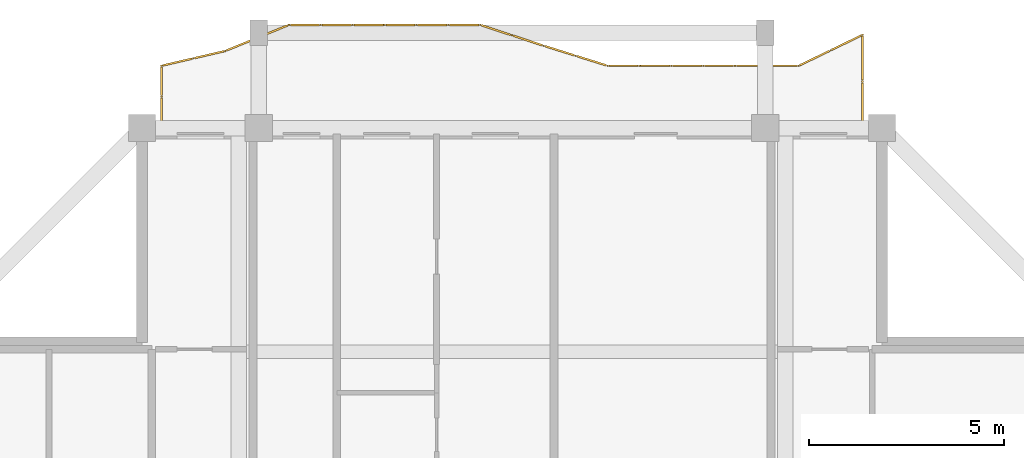
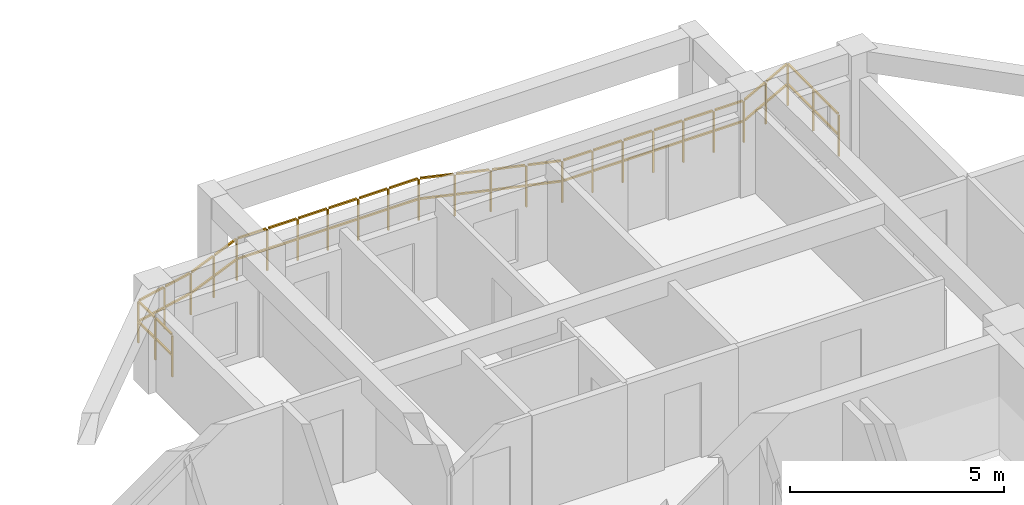
# One storey, part 12 of 12: 1 railing.
"""IFC4 building model written with IfcOpenShell, lengths in metres."""

from ifc_helpers import new_model, si_unit, direction, frame, origin, origin_2d, place, context, subcontext, project, spatial, rectangle, extrude, material, type_object, element, save


model = new_model("IFC4")

# Units and contexts
model_context = context("Model", 3, precision=1e-05, world=origin(), true_north=direction((0.0, 1.0)))
body_context = subcontext(model_context, "Body", "Model", "MODEL_VIEW")
ifc_project = project(units=[si_unit("LENGTHUNIT", "METRE"), si_unit("AREAUNIT", "SQUARE_METRE"), si_unit("VOLUMEUNIT", "CUBIC_METRE"), si_unit("PLANEANGLEUNIT", "RADIAN"), si_unit("MASSUNIT", "GRAM", prefix="KILO")], contexts=[model_context])

# Site, building, storey
site_placement = place(None, origin())
site = spatial("IfcSite", under=ifc_project, at=site_placement, CompositionType="ELEMENT")
building_placement = place(site_placement, origin())
building = spatial("IfcBuilding", under=site, at=building_placement, Name="Saelheon Loggia Tower", CompositionType="ELEMENT")
storey_placement = place(building_placement, frame((0.0, 0.0, 243.0)))
storey = spatial("IfcBuildingStorey", under=building, at=storey_placement, Name="L75", CompositionType="ELEMENT", Elevation=243.0)

# Railing
ifc_material = material(Name="Architectural Precast Concrete and Laminated Glass Guard", Category="concrete")
railing_type = type_object("IfcRailingType", Name="Guard_Loggia_RL_LOG", PredefinedType="BALUSTRADE", material=ifc_material)
railing_placement = place(storey_placement, frame((47.0, 48.0, 0.0)))
element("IfcRailing", 1, at=railing_placement, inside=storey, type_object=railing_type, Name="L75 North Loggia Balustrade", PredefinedType="BALUSTRADE", context=body_context, shape_type="SweptSolid", body=[
    extrude(rectangle(XDim=0.048095703125, YDim=0.048095703125, at=origin_2d()), frame((0.0, 0.033203125, 1.19580078125), z_axis=(0.0, 1.0, 0.0), x_axis=(-1.0, 0.0, 0.0)), (0.0, 0.0, 1.0), 1.130126953125),
    extrude(rectangle(XDim=0.048095703125, YDim=0.048095703125, at=origin_2d()), frame((0.0, 0.033203125, 0.60986328125), z_axis=(0.0, 1.0, 0.0), x_axis=(-1.0, 0.0, 0.0)), (0.0, 0.0, 1.0), 1.130126953125),
    extrude(rectangle(XDim=0.048095703125, YDim=0.048095703125, at=origin_2d()), frame((0.0, 1.22998046875, 1.19580078125), z_axis=(0.0, 1.0, 0.0), x_axis=(-1.0, 0.0, 0.0)), (0.0, 0.0, 1.0), 1.130126953125),
    extrude(rectangle(XDim=0.048095703125, YDim=0.048095703125, at=origin_2d()), frame((0.0, 1.22998046875, 0.60986328125), z_axis=(0.0, 1.0, 0.0), x_axis=(-1.0, 0.0, 0.0)), (0.0, 0.0, 1.0), 1.130126953125),
    extrude(rectangle(XDim=0.048095703125, YDim=0.048095703125, at=origin_2d()), frame((-0.02978515625, 2.37890625, 1.19580078125), z_axis=(-0.899863608431, -0.436171395464, 0.0), x_axis=(0.436171395464, -0.899863608431, 0.0)), (0.0, 0.0, 1.0), 0.8427734375),
    extrude(rectangle(XDim=0.048095703125, YDim=0.048095703125, at=origin_2d()), frame((-0.02978515625, 2.37890625, 0.60986328125), z_axis=(-0.899863608431, -0.436171395464, 0.0), x_axis=(0.436171395464, -0.899863608431, 0.0)), (0.0, 0.0, 1.0), 0.8427734375),
    extrude(rectangle(XDim=0.048095703125, YDim=0.048095703125, at=origin_2d()), frame((-0.84814453125, 1.982177734375, 1.19580078125), z_axis=(-0.899863608431, -0.436171395464, 0.0), x_axis=(0.436171395464, -0.899863608431, 0.0)), (0.0, 0.0, 1.0), 0.8427734375),
    extrude(rectangle(XDim=0.048095703125, YDim=0.048095703125, at=origin_2d()), frame((-0.84814453125, 1.982177734375, 0.60986328125), z_axis=(-0.899863608431, -0.436171395464, 0.0), x_axis=(0.436171395464, -0.899863608431, 0.0)), (0.0, 0.0, 1.0), 0.8427734375),
    extrude(rectangle(XDim=0.048095703125, YDim=0.048095703125, at=origin_2d()), frame((-1.669677734375, 1.60009765625, 1.19580078125), z_axis=(-1.0, 0.0, 0.0), x_axis=(0.0, -1.0, 0.0)), (0.0, 0.0, 1.0), 0.751708984375),
    extrude(rectangle(XDim=0.048095703125, YDim=0.048095703125, at=origin_2d()), frame((-1.669677734375, 1.60009765625, 0.60986328125), z_axis=(-1.0, 0.0, 0.0), x_axis=(0.0, -1.0, 0.0)), (0.0, 0.0, 1.0), 0.751708984375),
    extrude(rectangle(XDim=0.048095703125, YDim=0.048095703125, at=origin_2d()), frame((-2.48779296875, 1.60009765625, 1.19580078125), z_axis=(-1.0, 0.0, 0.0), x_axis=(0.0, -1.0, 0.0)), (0.0, 0.0, 1.0), 0.751708984375),
    extrude(rectangle(XDim=0.048095703125, YDim=0.048095703125, at=origin_2d()), frame((-2.48779296875, 1.60009765625, 0.60986328125), z_axis=(-1.0, 0.0, 0.0), x_axis=(0.0, -1.0, 0.0)), (0.0, 0.0, 1.0), 0.751708984375),
    extrude(rectangle(XDim=0.048095703125, YDim=0.048095703125, at=origin_2d()), frame((-3.305908203125, 1.60009765625, 1.19580078125), z_axis=(-1.0, 0.0, 0.0), x_axis=(0.0, -1.0, 0.0)), (0.0, 0.0, 1.0), 0.751708984375),
    extrude(rectangle(XDim=0.048095703125, YDim=0.048095703125, at=origin_2d()), frame((-3.305908203125, 1.60009765625, 0.60986328125), z_axis=(-1.0, 0.0, 0.0), x_axis=(0.0, -1.0, 0.0)), (0.0, 0.0, 1.0), 0.751708984375),
    extrude(rectangle(XDim=0.048095703125, YDim=0.048095703125, at=origin_2d()), frame((-4.124267578125, 1.60009765625, 1.19580078125), z_axis=(-1.0, 0.0, 0.0), x_axis=(0.0, -1.0, 0.0)), (0.0, 0.0, 1.0), 0.751708984375),
    extrude(rectangle(XDim=0.048095703125, YDim=0.048095703125, at=origin_2d()), frame((-4.124267578125, 1.60009765625, 0.60986328125), z_axis=(-1.0, 0.0, 0.0), x_axis=(0.0, -1.0, 0.0)), (0.0, 0.0, 1.0), 0.751708984375),
    extrude(rectangle(XDim=0.048095703125, YDim=0.048095703125, at=origin_2d()), frame((-4.9423828125, 1.60009765625, 1.19580078125), z_axis=(-1.0, 0.0, 0.0), x_axis=(0.0, -1.0, 0.0)), (0.0, 0.0, 1.0), 0.751708984375),
    extrude(rectangle(XDim=0.048095703125, YDim=0.048095703125, at=origin_2d()), frame((-4.9423828125, 1.60009765625, 0.60986328125), z_axis=(-1.0, 0.0, 0.0), x_axis=(0.0, -1.0, 0.0)), (0.0, 0.0, 1.0), 0.751708984375),
    extrude(rectangle(XDim=0.048095703125, YDim=0.048095703125, at=origin_2d()), frame((-5.760498046875, 1.60009765625, 1.19580078125), z_axis=(-1.0, 0.0, 0.0), x_axis=(0.0, -1.0, 0.0)), (0.0, 0.0, 1.0), 0.751708984375),
    extrude(rectangle(XDim=0.048095703125, YDim=0.048095703125, at=origin_2d()), frame((-5.760498046875, 1.60009765625, 0.60986328125), z_axis=(-1.0, 0.0, 0.0), x_axis=(0.0, -1.0, 0.0)), (0.0, 0.0, 1.0), 0.751708984375),
    extrude(rectangle(XDim=0.048095703125, YDim=0.048095703125, at=origin_2d()), frame((-6.5771484375, 1.610107421875, 1.19580078125), z_axis=(-0.954264410457, 0.298963935844, 0.0), x_axis=(-0.298963935844, -0.954264410457, 0.0)), (0.0, 0.0, 1.0), 0.791015625),
    extrude(rectangle(XDim=0.048095703125, YDim=0.048095703125, at=origin_2d()), frame((-6.5771484375, 1.610107421875, 0.60986328125), z_axis=(-0.954264410457, 0.298963935844, 0.0), x_axis=(-0.298963935844, -0.954264410457, 0.0)), (0.0, 0.0, 1.0), 0.791015625),
    extrude(rectangle(XDim=0.048095703125, YDim=0.048095703125, at=origin_2d()), frame((-7.395263671875, 1.866455078125, 1.19580078125), z_axis=(-0.954264410457, 0.298963935844, 0.0), x_axis=(-0.298963935844, -0.954264410457, 0.0)), (0.0, 0.0, 1.0), 0.791015625),
    extrude(rectangle(XDim=0.048095703125, YDim=0.048095703125, at=origin_2d()), frame((-7.395263671875, 1.866455078125, 0.60986328125), z_axis=(-0.954264410457, 0.298963935844, 0.0), x_axis=(-0.298963935844, -0.954264410457, 0.0)), (0.0, 0.0, 1.0), 0.791015625),
    extrude(rectangle(XDim=0.048095703125, YDim=0.048095703125, at=origin_2d()), frame((-8.21337890625, 2.123046875, 1.19580078125), z_axis=(-0.950119398436, 0.311886403545, 0.0), x_axis=(-0.311886403545, -0.950119398436, 0.0)), (0.0, 0.0, 1.0), 0.794677734375),
    extrude(rectangle(XDim=0.048095703125, YDim=0.048095703125, at=origin_2d()), frame((-8.21337890625, 2.123046875, 0.60986328125), z_axis=(-0.950119398436, 0.311886403545, 0.0), x_axis=(-0.311886403545, -0.950119398436, 0.0)), (0.0, 0.0, 1.0), 0.794677734375),
    extrude(rectangle(XDim=0.048095703125, YDim=0.048095703125, at=origin_2d()), frame((-9.031494140625, 2.3916015625, 1.19580078125), z_axis=(-0.950119398436, 0.311886403545, 0.0), x_axis=(-0.311886403545, -0.950119398436, 0.0)), (0.0, 0.0, 1.0), 0.794677734375),
    extrude(rectangle(XDim=0.048095703125, YDim=0.048095703125, at=origin_2d()), frame((-9.031494140625, 2.3916015625, 0.60986328125), z_axis=(-0.950119398436, 0.311886403545, 0.0), x_axis=(-0.311886403545, -0.950119398436, 0.0)), (0.0, 0.0, 1.0), 0.794677734375),
    extrude(rectangle(XDim=0.048095703125, YDim=0.048095703125, at=origin_2d()), frame((-9.851318359375, 2.64990234375, 1.19580078125), z_axis=(-1.0, 0.0, 0.0), x_axis=(0.0, -1.0, 0.0)), (0.0, 0.0, 1.0), 0.751708984375),
    extrude(rectangle(XDim=0.048095703125, YDim=0.048095703125, at=origin_2d()), frame((-9.851318359375, 2.64990234375, 0.60986328125), z_axis=(-1.0, 0.0, 0.0), x_axis=(0.0, -1.0, 0.0)), (0.0, 0.0, 1.0), 0.751708984375),
    extrude(rectangle(XDim=0.048095703125, YDim=0.048095703125, at=origin_2d()), frame((-10.669677734375, 2.64990234375, 1.19580078125), z_axis=(-1.0, 0.0, 0.0), x_axis=(0.0, -1.0, 0.0)), (0.0, 0.0, 1.0), 0.751708984375),
    extrude(rectangle(XDim=0.048095703125, YDim=0.048095703125, at=origin_2d()), frame((-10.669677734375, 2.64990234375, 0.60986328125), z_axis=(-1.0, 0.0, 0.0), x_axis=(0.0, -1.0, 0.0)), (0.0, 0.0, 1.0), 0.751708984375),
    extrude(rectangle(XDim=0.048095703125, YDim=0.048095703125, at=origin_2d()), frame((-11.48779296875, 2.64990234375, 1.19580078125), z_axis=(-1.0, 0.0, 0.0), x_axis=(0.0, -1.0, 0.0)), (0.0, 0.0, 1.0), 0.751708984375),
    extrude(rectangle(XDim=0.048095703125, YDim=0.048095703125, at=origin_2d()), frame((-11.48779296875, 2.64990234375, 0.60986328125), z_axis=(-1.0, 0.0, 0.0), x_axis=(0.0, -1.0, 0.0)), (0.0, 0.0, 1.0), 0.751708984375),
    extrude(rectangle(XDim=0.048095703125, YDim=0.048095703125, at=origin_2d()), frame((-12.305908203125, 2.64990234375, 1.19580078125), z_axis=(-1.0, 0.0, 0.0), x_axis=(0.0, -1.0, 0.0)), (0.0, 0.0, 1.0), 0.751708984375),
    extrude(rectangle(XDim=0.048095703125, YDim=0.048095703125, at=origin_2d()), frame((-12.305908203125, 2.64990234375, 0.60986328125), z_axis=(-1.0, 0.0, 0.0), x_axis=(0.0, -1.0, 0.0)), (0.0, 0.0, 1.0), 0.751708984375),
    extrude(rectangle(XDim=0.048095703125, YDim=0.048095703125, at=origin_2d()), frame((-13.1240234375, 2.64990234375, 1.19580078125), z_axis=(-1.0, 0.0, 0.0), x_axis=(0.0, -1.0, 0.0)), (0.0, 0.0, 1.0), 0.751708984375),
    extrude(rectangle(XDim=0.048095703125, YDim=0.048095703125, at=origin_2d()), frame((-13.1240234375, 2.64990234375, 0.60986328125), z_axis=(-1.0, 0.0, 0.0), x_axis=(0.0, -1.0, 0.0)), (0.0, 0.0, 1.0), 0.751708984375),
    extrude(rectangle(XDim=0.048095703125, YDim=0.048095703125, at=origin_2d()), frame((-13.9423828125, 2.64990234375, 1.19580078125), z_axis=(-1.0, 0.0, 0.0), x_axis=(0.0, -1.0, 0.0)), (0.0, 0.0, 1.0), 0.751708984375),
    extrude(rectangle(XDim=0.048095703125, YDim=0.048095703125, at=origin_2d()), frame((-13.9423828125, 2.64990234375, 0.60986328125), z_axis=(-1.0, 0.0, 0.0), x_axis=(0.0, -1.0, 0.0)), (0.0, 0.0, 1.0), 0.751708984375),
    extrude(rectangle(XDim=0.048095703125, YDim=0.048095703125, at=origin_2d()), frame((-14.758056640625, 2.63720703125, 1.19580078125), z_axis=(-0.925436938997, -0.378901665265, 0.0), x_axis=(0.378901665265, -0.925436938997, 0.0)), (0.0, 0.0, 1.0), 0.817626953125),
    extrude(rectangle(XDim=0.048095703125, YDim=0.048095703125, at=origin_2d()), frame((-14.758056640625, 2.63720703125, 0.60986328125), z_axis=(-0.925436938997, -0.378901665265, 0.0), x_axis=(0.378901665265, -0.925436938997, 0.0)), (0.0, 0.0, 1.0), 0.817626953125),
    extrude(rectangle(XDim=0.048095703125, YDim=0.048095703125, at=origin_2d()), frame((-15.576171875, 2.30224609375, 1.19580078125), z_axis=(-0.925436938997, -0.378901665265, 0.0), x_axis=(0.378901665265, -0.925436938997, 0.0)), (0.0, 0.0, 1.0), 0.817626953125),
    extrude(rectangle(XDim=0.048095703125, YDim=0.048095703125, at=origin_2d()), frame((-15.576171875, 2.30224609375, 0.60986328125), z_axis=(-0.925436938997, -0.378901665265, 0.0), x_axis=(0.378901665265, -0.925436938997, 0.0)), (0.0, 0.0, 1.0), 0.817626953125),
    extrude(rectangle(XDim=0.048095703125, YDim=0.048095703125, at=origin_2d()), frame((-16.39599609375, 1.972412109375, 1.19580078125), z_axis=(-0.974098915069, -0.226122320132, 0.0), x_axis=(0.226122320132, -0.974098915069, 0.0)), (0.0, 0.0, 1.0), 0.7734375),
    extrude(rectangle(XDim=0.048095703125, YDim=0.048095703125, at=origin_2d()), frame((-16.39599609375, 1.972412109375, 0.60986328125), z_axis=(-0.974098915069, -0.226122320132, 0.0), x_axis=(0.226122320132, -0.974098915069, 0.0)), (0.0, 0.0, 1.0), 0.7734375),
    extrude(rectangle(XDim=0.048095703125, YDim=0.048095703125, at=origin_2d()), frame((-17.214111328125, 1.782470703125, 1.19580078125), z_axis=(-0.974098915069, -0.226122320132, 0.0), x_axis=(0.226122320132, -0.974098915069, 0.0)), (0.0, 0.0, 1.0), 0.7734375),
    extrude(rectangle(XDim=0.048095703125, YDim=0.048095703125, at=origin_2d()), frame((-17.214111328125, 1.782470703125, 0.60986328125), z_axis=(-0.974098915069, -0.226122320132, 0.0), x_axis=(0.226122320132, -0.974098915069, 0.0)), (0.0, 0.0, 1.0), 0.7734375),
    extrude(rectangle(XDim=0.048095703125, YDim=0.048095703125, at=origin_2d()), frame((-18.0, 1.56689453125, 1.19580078125), z_axis=(0.0, -1.0, 0.0), x_axis=(1.0, 0.0, 0.0)), (0.0, 0.0, 1.0), 0.733642578125),
    extrude(rectangle(XDim=0.048095703125, YDim=0.048095703125, at=origin_2d()), frame((-18.0, 1.56689453125, 0.60986328125), z_axis=(0.0, -1.0, 0.0), x_axis=(1.0, 0.0, 0.0)), (0.0, 0.0, 1.0), 0.733642578125),
    extrude(rectangle(XDim=0.048095703125, YDim=0.048095703125, at=origin_2d()), frame((-18.0, 0.766845703125, 1.19580078125), z_axis=(0.0, -1.0, 0.0), x_axis=(1.0, 0.0, 0.0)), (0.0, 0.0, 1.0), 0.733642578125),
    extrude(rectangle(XDim=0.048095703125, YDim=0.048095703125, at=origin_2d()), frame((-18.0, 0.766845703125, 0.60986328125), z_axis=(0.0, -1.0, 0.0), x_axis=(1.0, 0.0, 0.0)), (0.0, 0.0, 1.0), 0.733642578125),
    extrude(rectangle(XDim=0.0419921875, YDim=0.0419921875, at=origin_2d()), origin(), (0.0, 0.0, 1.0), 1.16796875),
    extrude(rectangle(XDim=0.0419921875, YDim=0.0419921875, at=origin_2d()), frame((0.0, 1.19677734375, 0.0)), (0.0, 0.0, 1.0), 1.16796875),
    extrude(rectangle(XDim=0.0419921875, YDim=0.0419921875, at=origin_2d()), frame((0.0, 2.393310546875, 0.0)), (0.0, 0.0, 1.0), 1.16796875),
    extrude(rectangle(XDim=0.0419921875, YDim=0.0419921875, at=origin_2d()), frame((-0.818359375, 1.99658203125, 0.0)), (0.0, 0.0, 1.0), 1.16796875),
    extrude(rectangle(XDim=0.0419921875, YDim=0.0419921875, at=origin_2d()), frame((-1.636474609375, 1.60009765625, 0.0)), (0.0, 0.0, 1.0), 1.16796875),
    extrude(rectangle(XDim=0.0419921875, YDim=0.0419921875, at=origin_2d()), frame((-2.45458984375, 1.60009765625, 0.0)), (0.0, 0.0, 1.0), 1.16796875),
    extrude(rectangle(XDim=0.0419921875, YDim=0.0419921875, at=origin_2d()), frame((-3.272705078125, 1.60009765625, 0.0)), (0.0, 0.0, 1.0), 1.16796875),
    extrude(rectangle(XDim=0.0419921875, YDim=0.0419921875, at=origin_2d()), frame((-4.0908203125, 1.60009765625, 0.0)), (0.0, 0.0, 1.0), 1.16796875),
    extrude(rectangle(XDim=0.0419921875, YDim=0.0419921875, at=origin_2d()), frame((-4.9091796875, 1.60009765625, 0.0)), (0.0, 0.0, 1.0), 1.16796875),
    extrude(rectangle(XDim=0.0419921875, YDim=0.0419921875, at=origin_2d()), frame((-5.727294921875, 1.60009765625, 0.0)), (0.0, 0.0, 1.0), 1.16796875),
    extrude(rectangle(XDim=0.0419921875, YDim=0.0419921875, at=origin_2d()), frame((-6.54541015625, 1.60009765625, 0.0)), (0.0, 0.0, 1.0), 1.16796875),
    extrude(rectangle(XDim=0.0419921875, YDim=0.0419921875, at=origin_2d()), frame((-7.36376953125, 1.8564453125, 0.0)), (0.0, 0.0, 1.0), 1.16796875),
    extrude(rectangle(XDim=0.0419921875, YDim=0.0419921875, at=origin_2d()), frame((-8.181884765625, 2.11279296875, 0.0)), (0.0, 0.0, 1.0), 1.16796875),
    extrude(rectangle(XDim=0.0419921875, YDim=0.0419921875, at=origin_2d()), frame((-9.0, 2.38134765625, 0.0)), (0.0, 0.0, 1.0), 1.16796875),
    extrude(rectangle(XDim=0.0419921875, YDim=0.0419921875, at=origin_2d()), frame((-9.818115234375, 2.64990234375, 0.0)), (0.0, 0.0, 1.0), 1.16796875),
    extrude(rectangle(XDim=0.0419921875, YDim=0.0419921875, at=origin_2d()), frame((-10.63623046875, 2.64990234375, 0.0)), (0.0, 0.0, 1.0), 1.16796875),
    extrude(rectangle(XDim=0.0419921875, YDim=0.0419921875, at=origin_2d()), frame((-11.45458984375, 2.64990234375, 0.0)), (0.0, 0.0, 1.0), 1.16796875),
    extrude(rectangle(XDim=0.0419921875, YDim=0.0419921875, at=origin_2d()), frame((-12.272705078125, 2.64990234375, 0.0)), (0.0, 0.0, 1.0), 1.16796875),
    extrude(rectangle(XDim=0.0419921875, YDim=0.0419921875, at=origin_2d()), frame((-13.0908203125, 2.64990234375, 0.0)), (0.0, 0.0, 1.0), 1.16796875),
    extrude(rectangle(XDim=0.0419921875, YDim=0.0419921875, at=origin_2d()), frame((-13.9091796875, 2.64990234375, 0.0)), (0.0, 0.0, 1.0), 1.16796875),
    extrude(rectangle(XDim=0.0419921875, YDim=0.0419921875, at=origin_2d()), frame((-14.727294921875, 2.64990234375, 0.0)), (0.0, 0.0, 1.0), 1.16796875),
    extrude(rectangle(XDim=0.0419921875, YDim=0.0419921875, at=origin_2d()), frame((-15.54541015625, 2.31494140625, 0.0)), (0.0, 0.0, 1.0), 1.16796875),
    extrude(rectangle(XDim=0.0419921875, YDim=0.0419921875, at=origin_2d()), frame((-16.363525390625, 1.97998046875, 0.0)), (0.0, 0.0, 1.0), 1.16796875),
    extrude(rectangle(XDim=0.0419921875, YDim=0.0419921875, at=origin_2d()), frame((-17.181640625, 1.7900390625, 0.0)), (0.0, 0.0, 1.0), 1.16796875),
    extrude(rectangle(XDim=0.0419921875, YDim=0.0419921875, at=origin_2d()), frame((-18.0, 1.60009765625, 0.0)), (0.0, 0.0, 1.0), 1.16796875),
    extrude(rectangle(XDim=0.0419921875, YDim=0.0419921875, at=origin_2d()), frame((-18.0, 0.800048828125, 0.0)), (0.0, 0.0, 1.0), 1.16796875),
    extrude(rectangle(XDim=0.0419921875, YDim=0.0419921875, at=origin_2d()), frame((-18.0, 0.0, 0.0)), (0.0, 0.0, 1.0), 1.16796875),
])

save(model, "model.ifc")
